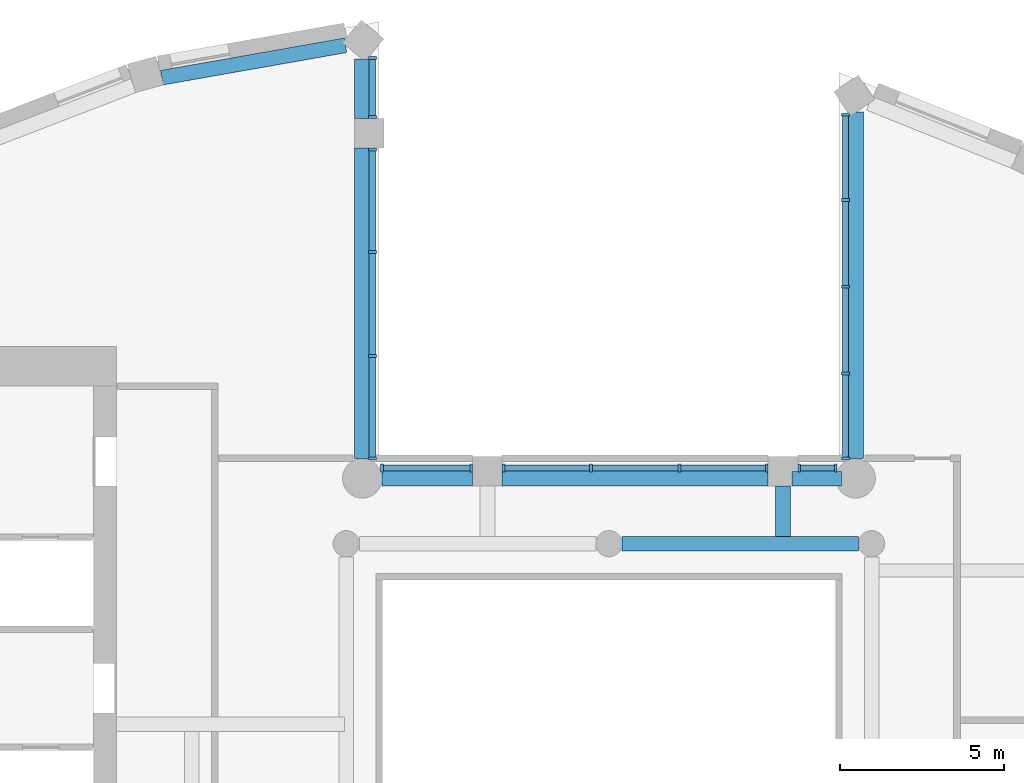
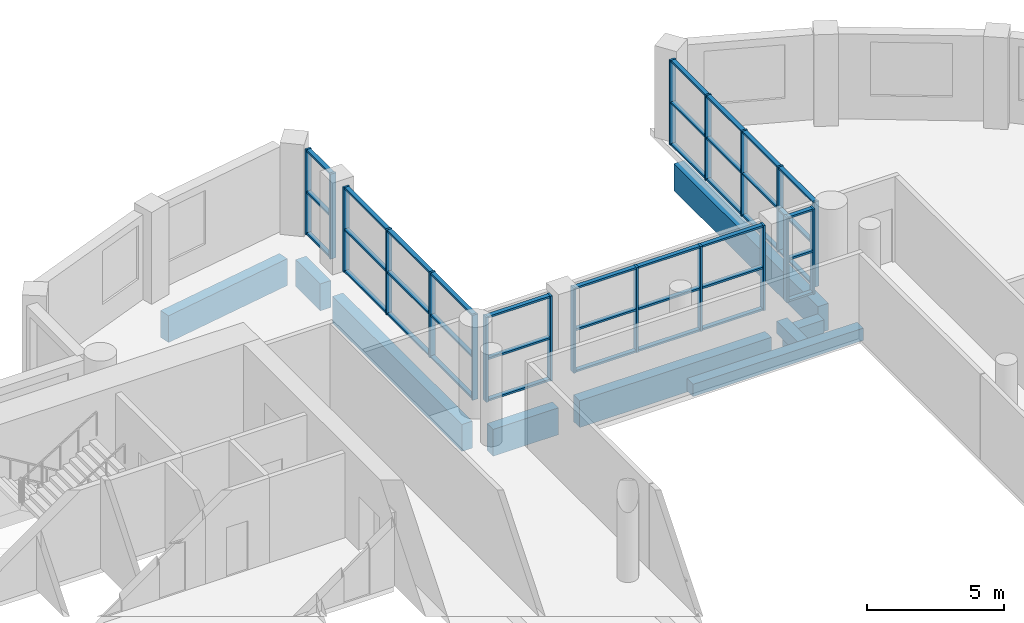
# One storey, part 2 of 15: 58 members, 9 beams, 6 elements without a shape of their own.
"""IFC4 building model written with IfcOpenShell, lengths in metres."""

from ifc_helpers import new_model, si_unit, direction, frame, origin, origin_2d, place, context, subcontext, project, spatial, rectangle, extrude, material, material_profile, profile_set, type_object, element, aggregate, save


model = new_model("IFC4")

# Units and contexts
model_context = context("Model", 3, precision=1e-05, world=origin(), true_north=direction((0.0, 1.0)))
body_context = subcontext(model_context, "Body", "Model", "MODEL_VIEW")
ifc_project = project(units=[si_unit("LENGTHUNIT", "METRE"), si_unit("AREAUNIT", "SQUARE_METRE"), si_unit("VOLUMEUNIT", "CUBIC_METRE"), si_unit("PLANEANGLEUNIT", "RADIAN"), si_unit("MASSUNIT", "GRAM", prefix="KILO")], contexts=[model_context])

# Site, building, storey
site_placement = place(None, origin())
site = spatial("IfcSite", under=ifc_project, at=site_placement, CompositionType="ELEMENT")
building_placement = place(site_placement, origin())
building = spatial("IfcBuilding", under=site, at=building_placement, Name="Cypress Arch Tower", CompositionType="ELEMENT")
storey_placement = place(building_placement, frame((0.0, 0.0, 321.300048828125)))
storey = spatial("IfcBuildingStorey", under=building, at=storey_placement, Name="L73", CompositionType="ELEMENT", Elevation=321.300048828125)

# Beams
ifc_material_1 = material(Name="Concrete C50/60", Category="concrete")
ifc_material_profile_1 = material_profile(ifc_material_1, rectangle(XDim=0.449951171875, YDim=0.550048828125, at=origin_2d()), Name="RC 450x550")
ifc_profile_set_1 = profile_set([ifc_material_profile_1], Name="Concrete C50/60")
beam_type_1 = type_object("IfcBeamType", Name="Floor beam RC 450x550 Concrete C50/60", PredefinedType="BEAM", material=ifc_profile_set_1)
beam_1_placement = place(storey_placement, frame((1.39990234375, 10.0, -0.574951171875), z_axis=(1.0, 0.0, 0.0), x_axis=(0.0, 1.0, 0.0)))
element("IfcBeam", 1, at=beam_1_placement, inside=storey, type_object=beam_type_1, Name="Floor beam L73 RB008", PredefinedType="BEAM", context=body_context, shape_type="SweptSolid", body=[
    extrude(rectangle(XDim=0.449951171875, YDim=0.550048828125, at=origin_2d()), origin(), (0.0, 0.0, 1.0), 7.2001953125),
])
beam_2_placement = place(storey_placement, frame((6.300048828125, 10.22509765625, -0.574951171875), z_axis=(0.0, 1.0, 0.0), x_axis=(-1.0, 0.0, 0.0)))
element("IfcBeam", 2, at=beam_2_placement, inside=storey, type_object=beam_type_1, Name="Floor beam L73 FB013", PredefinedType="BEAM", context=body_context, shape_type="SweptSolid", body=[
    extrude(rectangle(XDim=0.449951171875, YDim=0.550048828125, at=origin_2d()), origin(), (0.0, 0.0, 1.0), 1.52490234375),
])

# Curtain wall, members
ifc_material_2 = material(Name="Anodised aluminium, bronze finish, clear laminated double glazing", Category="aluminium")
curtain_wall_type = type_object("IfcCurtainWallType", Name="Curtain wall CW7 slot glazing", PredefinedType="NOTDEFINED", material=ifc_material_2)
curtain_wall_1_placement = place(storey_placement, origin())
curtain_wall_1 = element("IfcCurtainWall", 3, at=curtain_wall_1_placement, inside=storey, type_object=curtain_wall_type, Name="Curtain wall L73 slot C00.0", PredefinedType="NOTDEFINED")
ifc_material_3 = material(Name="Anodised aluminium, bronze finish", Category="aluminium")
ifc_material_profile_2 = material_profile(ifc_material_3, rectangle(XDim=0.239990234375, YDim=0.0849609375, at=origin_2d()), Name="Mullion 85x240")
ifc_profile_set_2 = profile_set([ifc_material_profile_2], Name="Anodised aluminium, bronze finish")
member_type_1 = type_object("IfcMemberType", Name="Mullion CW7 85x240", PredefinedType="MULLION", material=ifc_profile_set_2)
member_1_placement = place(storey_placement, frame((8.199951171875, 23.060302734375, 0.0), z_axis=(0.0, 0.0, 1.0), x_axis=(1.0, 0.0, 0.0)))
member_1 = element("IfcMember", 4, at=member_1_placement, type_object=member_type_1, Name="CW7 mullion 1", PredefinedType="MULLION", context=body_context, shape_type="SweptSolid", body=[
    extrude(rectangle(XDim=0.239990234375, YDim=0.0849609375, at=origin_2d()), origin(), (0.0, 0.0, 1.0), 3.800048828125),
])
member_2_placement = place(storey_placement, frame((8.199951171875, 20.464111328125, 0.0), z_axis=(0.0, 0.0, 1.0), x_axis=(1.0, 0.0, 0.0)))
member_2 = element("IfcMember", 5, at=member_2_placement, type_object=member_type_1, Name="CW7 mullion 2", PredefinedType="MULLION", context=body_context, shape_type="SweptSolid", body=[
    extrude(rectangle(XDim=0.239990234375, YDim=0.0849609375, at=origin_2d()), origin(), (0.0, 0.0, 1.0), 3.800048828125),
])
member_3_placement = place(storey_placement, frame((8.199951171875, 17.82568359375, 0.0), z_axis=(0.0, 0.0, 1.0), x_axis=(1.0, 0.0, 0.0)))
member_3 = element("IfcMember", 6, at=member_3_placement, type_object=member_type_1, Name="CW7 mullion 3", PredefinedType="MULLION", context=body_context, shape_type="SweptSolid", body=[
    extrude(rectangle(XDim=0.239990234375, YDim=0.0849609375, at=origin_2d()), origin(), (0.0, 0.0, 1.0), 3.800048828125),
])
member_4_placement = place(storey_placement, frame((8.199951171875, 15.18701171875, 0.0), z_axis=(0.0, 0.0, 1.0), x_axis=(1.0, 0.0, 0.0)))
member_4 = element("IfcMember", 7, at=member_4_placement, type_object=member_type_1, Name="CW7 mullion 4", PredefinedType="MULLION", context=body_context, shape_type="SweptSolid", body=[
    extrude(rectangle(XDim=0.239990234375, YDim=0.0849609375, at=origin_2d()), origin(), (0.0, 0.0, 1.0), 3.800048828125),
])
member_5_placement = place(storey_placement, frame((8.199951171875, 12.591064453125, 0.0), z_axis=(0.0, 0.0, 1.0), x_axis=(1.0, 0.0, 0.0)))
member_5 = element("IfcMember", 8, at=member_5_placement, type_object=member_type_1, Name="CW7 mullion 5", PredefinedType="MULLION", context=body_context, shape_type="SweptSolid", body=[
    extrude(rectangle(XDim=0.239990234375, YDim=0.0849609375, at=origin_2d()), origin(), (0.0, 0.0, 1.0), 3.800048828125),
])

curtain_wall_2_placement = place(storey_placement, origin())
curtain_wall_2 = element("IfcCurtainWall", 9, at=curtain_wall_2_placement, inside=storey, type_object=curtain_wall_type, Name="Curtain wall L73 slot C01.0", PredefinedType="NOTDEFINED")
member_6_placement = place(storey_placement, frame((7.908935546875, 12.300048828125, 0.0), z_axis=(0.0, 0.0, 1.0), x_axis=(0.0, -1.0, 0.0)))
member_6 = element("IfcMember", 10, at=member_6_placement, type_object=member_type_1, Name="CW7 mullion 1", PredefinedType="MULLION", context=body_context, shape_type="SweptSolid", body=[
    extrude(rectangle(XDim=0.239990234375, YDim=0.0849609375, at=origin_2d()), origin(), (0.0, 0.0, 1.0), 3.800048828125),
])
member_7_placement = place(storey_placement, frame((6.79248046875, 12.300048828125, 0.0), z_axis=(0.0, 0.0, 1.0), x_axis=(0.0, -1.0, 0.0)))
member_7 = element("IfcMember", 11, at=member_7_placement, type_object=member_type_1, Name="CW7 mullion 2", PredefinedType="MULLION", context=body_context, shape_type="SweptSolid", body=[
    extrude(rectangle(XDim=0.239990234375, YDim=0.0849609375, at=origin_2d()), origin(), (0.0, 0.0, 1.0), 3.800048828125),
])

curtain_wall_3_placement = place(storey_placement, origin())
curtain_wall_3 = element("IfcCurtainWall", 12, at=curtain_wall_3_placement, inside=storey, type_object=curtain_wall_type, Name="Curtain wall L73 slot C01.1", PredefinedType="NOTDEFINED")
member_8_placement = place(storey_placement, frame((5.8076171875, 12.300048828125, 0.0), z_axis=(0.0, 0.0, 1.0), x_axis=(0.0, -1.0, 0.0)))
member_8 = element("IfcMember", 13, at=member_8_placement, type_object=member_type_1, Name="CW7 mullion 1", PredefinedType="MULLION", context=body_context, shape_type="SweptSolid", body=[
    extrude(rectangle(XDim=0.239990234375, YDim=0.0849609375, at=origin_2d()), origin(), (0.0, 0.0, 1.0), 3.800048828125),
])
member_9_placement = place(storey_placement, frame((3.14990234375, 12.300048828125, 0.0), z_axis=(0.0, 0.0, 1.0), x_axis=(0.0, -1.0, 0.0)))
member_9 = element("IfcMember", 14, at=member_9_placement, type_object=member_type_1, Name="CW7 mullion 2", PredefinedType="MULLION", context=body_context, shape_type="SweptSolid", body=[
    extrude(rectangle(XDim=0.239990234375, YDim=0.0849609375, at=origin_2d()), origin(), (0.0, 0.0, 1.0), 3.800048828125),
])
member_10_placement = place(storey_placement, frame((0.449951171875, 12.300048828125, 0.0), z_axis=(0.0, 0.0, 1.0), x_axis=(0.0, -1.0, 0.0)))
member_10 = element("IfcMember", 15, at=member_10_placement, type_object=member_type_1, Name="CW7 mullion 3", PredefinedType="MULLION", context=body_context, shape_type="SweptSolid", body=[
    extrude(rectangle(XDim=0.239990234375, YDim=0.0849609375, at=origin_2d()), origin(), (0.0, 0.0, 1.0), 3.800048828125),
])
member_11_placement = place(storey_placement, frame((-2.20751953125, 12.300048828125, 0.0), z_axis=(0.0, 0.0, 1.0), x_axis=(0.0, -1.0, 0.0)))
member_11 = element("IfcMember", 16, at=member_11_placement, type_object=member_type_1, Name="CW7 mullion 4", PredefinedType="MULLION", context=body_context, shape_type="SweptSolid", body=[
    extrude(rectangle(XDim=0.239990234375, YDim=0.0849609375, at=origin_2d()), origin(), (0.0, 0.0, 1.0), 3.800048828125),
])

curtain_wall_4_placement = place(storey_placement, origin())
curtain_wall_4 = element("IfcCurtainWall", 17, at=curtain_wall_4_placement, inside=storey, type_object=curtain_wall_type, Name="Curtain wall L73 slot C01.2", PredefinedType="NOTDEFINED")
member_12_placement = place(storey_placement, frame((-3.1923828125, 12.300048828125, 0.0), z_axis=(0.0, 0.0, 1.0), x_axis=(0.0, -1.0, 0.0)))
member_12 = element("IfcMember", 18, at=member_12_placement, type_object=member_type_1, Name="CW7 mullion 1", PredefinedType="MULLION", context=body_context, shape_type="SweptSolid", body=[
    extrude(rectangle(XDim=0.239990234375, YDim=0.0849609375, at=origin_2d()), origin(), (0.0, 0.0, 1.0), 3.800048828125),
])
member_13_placement = place(storey_placement, frame((-5.908935546875, 12.300048828125, 0.0), z_axis=(0.0, 0.0, 1.0), x_axis=(0.0, -1.0, 0.0)))
member_13 = element("IfcMember", 19, at=member_13_placement, type_object=member_type_1, Name="CW7 mullion 2", PredefinedType="MULLION", context=body_context, shape_type="SweptSolid", body=[
    extrude(rectangle(XDim=0.239990234375, YDim=0.0849609375, at=origin_2d()), origin(), (0.0, 0.0, 1.0), 3.800048828125),
])

curtain_wall_5_placement = place(storey_placement, origin())
curtain_wall_5 = element("IfcCurtainWall", 20, at=curtain_wall_5_placement, inside=storey, type_object=curtain_wall_type, Name="Curtain wall L73 slot C02.0", PredefinedType="NOTDEFINED")
member_14_placement = place(storey_placement, frame((-6.199951171875, 12.591064453125, 0.0), z_axis=(0.0, 0.0, 1.0), x_axis=(-1.0, 0.0, 0.0)))
member_14 = element("IfcMember", 21, at=member_14_placement, type_object=member_type_1, Name="CW7 mullion 1", PredefinedType="MULLION", context=body_context, shape_type="SweptSolid", body=[
    extrude(rectangle(XDim=0.239990234375, YDim=0.0849609375, at=origin_2d()), origin(), (0.0, 0.0, 1.0), 3.800048828125),
])
member_15_placement = place(storey_placement, frame((-6.199951171875, 15.715576171875, 0.0), z_axis=(0.0, 0.0, 1.0), x_axis=(-1.0, 0.0, 0.0)))
member_15 = element("IfcMember", 22, at=member_15_placement, type_object=member_type_1, Name="CW7 mullion 2", PredefinedType="MULLION", context=body_context, shape_type="SweptSolid", body=[
    extrude(rectangle(XDim=0.239990234375, YDim=0.0849609375, at=origin_2d()), origin(), (0.0, 0.0, 1.0), 3.800048828125),
])
member_16_placement = place(storey_placement, frame((-6.199951171875, 18.8828125, 0.0), z_axis=(0.0, 0.0, 1.0), x_axis=(-1.0, 0.0, 0.0)))
member_16 = element("IfcMember", 23, at=member_16_placement, type_object=member_type_1, Name="CW7 mullion 3", PredefinedType="MULLION", context=body_context, shape_type="SweptSolid", body=[
    extrude(rectangle(XDim=0.239990234375, YDim=0.0849609375, at=origin_2d()), origin(), (0.0, 0.0, 1.0), 3.800048828125),
])
member_17_placement = place(storey_placement, frame((-6.199951171875, 22.007568359375, 0.0), z_axis=(0.0, 0.0, 1.0), x_axis=(-1.0, 0.0, 0.0)))
member_17 = element("IfcMember", 24, at=member_17_placement, type_object=member_type_1, Name="CW7 mullion 4", PredefinedType="MULLION", context=body_context, shape_type="SweptSolid", body=[
    extrude(rectangle(XDim=0.239990234375, YDim=0.0849609375, at=origin_2d()), origin(), (0.0, 0.0, 1.0), 3.800048828125),
])

curtain_wall_6_placement = place(storey_placement, origin())
curtain_wall_6 = element("IfcCurtainWall", 25, at=curtain_wall_6_placement, inside=storey, type_object=curtain_wall_type, Name="Curtain wall L73 slot C02.1", PredefinedType="NOTDEFINED")
member_18_placement = place(storey_placement, frame((-6.199951171875, 22.992431640625, 0.0), z_axis=(0.0, 0.0, 1.0), x_axis=(-1.0, 0.0, 0.0)))
member_18 = element("IfcMember", 26, at=member_18_placement, type_object=member_type_1, Name="CW7 mullion 1", PredefinedType="MULLION", context=body_context, shape_type="SweptSolid", body=[
    extrude(rectangle(XDim=0.239990234375, YDim=0.0849609375, at=origin_2d()), origin(), (0.0, 0.0, 1.0), 3.800048828125),
])
member_19_placement = place(storey_placement, frame((-6.199951171875, 24.789794921875, 0.0), z_axis=(0.0, 0.0, 1.0), x_axis=(-1.0, 0.0, 0.0)))
member_19 = element("IfcMember", 27, at=member_19_placement, type_object=member_type_1, Name="CW7 mullion 2", PredefinedType="MULLION", context=body_context, shape_type="SweptSolid", body=[
    extrude(rectangle(XDim=0.239990234375, YDim=0.0849609375, at=origin_2d()), origin(), (0.0, 0.0, 1.0), 3.800048828125),
])

# Beams
ifc_material_4 = material(Name="Concrete C50/60", Category="concrete")
ifc_material_profile_3 = material_profile(ifc_material_4, rectangle(XDim=0.449951171875, YDim=1.199951171875, at=origin_2d()), Name="RC 450x1200")
ifc_profile_set_3 = profile_set([ifc_material_profile_3], Name="Concrete C50/60")
beam_type_2 = type_object("IfcBeamType", Name="Spandrel beam RC 450x1200 Concrete C50/60", PredefinedType="SPANDREL", material=ifc_profile_set_3)
beam_3_placement = place(storey_placement, frame((8.52490234375, 23.138427734375, -1.550048828125), z_axis=(0.0, -1.0, 0.0), x_axis=(1.0, 0.0, 0.0)))
element("IfcBeam", 28, at=beam_3_placement, inside=storey, type_object=beam_type_2, Name="Spandrel beam L73 BC00-0", PredefinedType="SPANDREL", context=body_context, shape_type="SweptSolid", body=[
    extrude(rectangle(XDim=0.449951171875, YDim=1.199951171875, at=origin_2d()), origin(), (0.0, 0.0, 1.0), 10.55078125),
])
beam_4_placement = place(storey_placement, frame((8.081298828125, 11.97509765625, -1.550048828125), z_axis=(-1.0, 0.0, 0.0), x_axis=(0.0, -1.0, 0.0)))
element("IfcBeam", 29, at=beam_4_placement, inside=storey, type_object=beam_type_2, Name="Spandrel beam L73 BC01-0", PredefinedType="SPANDREL", context=body_context, shape_type="SweptSolid", body=[
    extrude(rectangle(XDim=0.449951171875, YDim=1.199951171875, at=origin_2d()), origin(), (0.0, 0.0, 1.0), 1.5),
])
beam_5_placement = place(storey_placement, frame((5.85009765625, 11.97509765625, -1.550048828125), z_axis=(-1.0, 0.0, 0.0), x_axis=(0.0, -1.0, 0.0)))
element("IfcBeam", 30, at=beam_5_placement, inside=storey, type_object=beam_type_2, Name="Spandrel beam L73 BC01-1", PredefinedType="SPANDREL", context=body_context, shape_type="SweptSolid", body=[
    extrude(rectangle(XDim=0.449951171875, YDim=1.199951171875, at=origin_2d()), origin(), (0.0, 0.0, 1.0), 8.10009765625),
])
beam_6_placement = place(storey_placement, frame((-3.14990234375, 11.97509765625, -1.550048828125), z_axis=(-1.0, 0.0, 0.0), x_axis=(0.0, -1.0, 0.0)))
element("IfcBeam", 31, at=beam_6_placement, inside=storey, type_object=beam_type_2, Name="Spandrel beam L73 BC01-2", PredefinedType="SPANDREL", context=body_context, shape_type="SweptSolid", body=[
    extrude(rectangle(XDim=0.449951171875, YDim=1.199951171875, at=origin_2d()), origin(), (0.0, 0.0, 1.0), 2.762451171875),
])
beam_7_placement = place(storey_placement, frame((-6.52490234375, 12.587646484375, -1.550048828125), z_axis=(0.0, 1.0, 0.0), x_axis=(-1.0, 0.0, 0.0)))
element("IfcBeam", 32, at=beam_7_placement, inside=storey, type_object=beam_type_2, Name="Spandrel beam L73 BC02-0", PredefinedType="SPANDREL", context=body_context, shape_type="SweptSolid", body=[
    extrude(rectangle(XDim=0.449951171875, YDim=1.199951171875, at=origin_2d()), origin(), (0.0, 0.0, 1.0), 9.46240234375),
])
beam_8_placement = place(storey_placement, frame((-6.52490234375, 22.949951171875, -1.550048828125), z_axis=(0.0, 1.0, 0.0), x_axis=(-1.0, 0.0, 0.0)))
element("IfcBeam", 33, at=beam_8_placement, inside=storey, type_object=beam_type_2, Name="Spandrel beam L73 BC02-1", PredefinedType="SPANDREL", context=body_context, shape_type="SweptSolid", body=[
    extrude(rectangle(XDim=0.449951171875, YDim=1.199951171875, at=origin_2d()), origin(), (0.0, 0.0, 1.0), 1.810302734375),
])
beam_9_placement = place(storey_placement, frame((-7.021484375, 25.1767578125, -1.550048828125), z_axis=(-0.984798704294, -0.173699487682, 0.0), x_axis=(0.173699487682, -0.984798704294, 0.0)))
element("IfcBeam", 34, at=beam_9_placement, inside=storey, type_object=beam_type_2, Name="Spandrel beam L73 BC03-0", PredefinedType="SPANDREL", context=body_context, shape_type="SweptSolid", body=[
    extrude(rectangle(XDim=0.449951171875, YDim=1.199951171875, at=origin_2d()), origin(), (0.0, 0.0, 1.0), 5.678466796875),
])

# Member
ifc_material_5 = material(Name="Anodised aluminium, bronze finish", Category="aluminium")
ifc_material_profile_4 = material_profile(ifc_material_5, rectangle(XDim=0.179931640625, YDim=0.0849609375, at=origin_2d()), Name="Transom 85x180")
ifc_profile_set_4 = profile_set([ifc_material_profile_4], Name="Anodised aluminium, bronze finish")
member_type_2 = type_object("IfcMemberType", Name="Transom CW7 85x180", PredefinedType="USERDEFINED", material=ifc_profile_set_4)
member_20_placement = place(storey_placement, frame((8.199951171875, 23.017578125, 0.04248046875), z_axis=(0.0, -1.0, 0.0), x_axis=(1.0, 0.0, 0.0)))
member_20 = element("IfcMember", 35, at=member_20_placement, type_object=member_type_2, Name="CW7 transom 1.1", ObjectType="TRANSOM", PredefinedType="USERDEFINED", context=body_context, shape_type="SweptSolid", body=[
    extrude(rectangle(XDim=0.179931640625, YDim=0.0849609375, at=origin_2d()), origin(), (0.0, 0.0, 1.0), 2.510986328125),
])

member_21_placement = place(storey_placement, frame((8.199951171875, 23.017578125, 1.89990234375), z_axis=(0.0, -1.0, 0.0), x_axis=(1.0, 0.0, 0.0)))
member_21 = element("IfcMember", 36, at=member_21_placement, type_object=member_type_2, Name="CW7 transom 1.2", ObjectType="TRANSOM", PredefinedType="USERDEFINED", context=body_context, shape_type="SweptSolid", body=[
    extrude(rectangle(XDim=0.179931640625, YDim=0.0849609375, at=origin_2d()), origin(), (0.0, 0.0, 1.0), 2.510986328125),
])

member_22_placement = place(storey_placement, frame((8.199951171875, 23.017578125, 3.757568359375), z_axis=(0.0, -1.0, 0.0), x_axis=(1.0, 0.0, 0.0)))
member_22 = element("IfcMember", 37, at=member_22_placement, type_object=member_type_2, Name="CW7 transom 1.3", ObjectType="TRANSOM", PredefinedType="USERDEFINED", context=body_context, shape_type="SweptSolid", body=[
    extrude(rectangle(XDim=0.179931640625, YDim=0.0849609375, at=origin_2d()), origin(), (0.0, 0.0, 1.0), 2.510986328125),
])

member_23_placement = place(storey_placement, frame((8.199951171875, 20.421630859375, 0.04248046875), z_axis=(0.0, -1.0, 0.0), x_axis=(1.0, 0.0, 0.0)))
member_23 = element("IfcMember", 38, at=member_23_placement, type_object=member_type_2, Name="CW7 transom 2.1", ObjectType="TRANSOM", PredefinedType="USERDEFINED", context=body_context, shape_type="SweptSolid", body=[
    extrude(rectangle(XDim=0.179931640625, YDim=0.0849609375, at=origin_2d()), origin(), (0.0, 0.0, 1.0), 2.553466796875),
])

member_24_placement = place(storey_placement, frame((8.199951171875, 20.421630859375, 1.89990234375), z_axis=(0.0, -1.0, 0.0), x_axis=(1.0, 0.0, 0.0)))
member_24 = element("IfcMember", 39, at=member_24_placement, type_object=member_type_2, Name="CW7 transom 2.2", ObjectType="TRANSOM", PredefinedType="USERDEFINED", context=body_context, shape_type="SweptSolid", body=[
    extrude(rectangle(XDim=0.179931640625, YDim=0.0849609375, at=origin_2d()), origin(), (0.0, 0.0, 1.0), 2.553466796875),
])

member_25_placement = place(storey_placement, frame((8.199951171875, 20.421630859375, 3.757568359375), z_axis=(0.0, -1.0, 0.0), x_axis=(1.0, 0.0, 0.0)))
member_25 = element("IfcMember", 40, at=member_25_placement, type_object=member_type_2, Name="CW7 transom 2.3", ObjectType="TRANSOM", PredefinedType="USERDEFINED", context=body_context, shape_type="SweptSolid", body=[
    extrude(rectangle(XDim=0.179931640625, YDim=0.0849609375, at=origin_2d()), origin(), (0.0, 0.0, 1.0), 2.553466796875),
])

member_26_placement = place(storey_placement, frame((8.199951171875, 17.782958984375, 0.04248046875), z_axis=(0.0, -1.0, 0.0), x_axis=(1.0, 0.0, 0.0)))
member_26 = element("IfcMember", 41, at=member_26_placement, type_object=member_type_2, Name="CW7 transom 3.1", ObjectType="TRANSOM", PredefinedType="USERDEFINED", context=body_context, shape_type="SweptSolid", body=[
    extrude(rectangle(XDim=0.179931640625, YDim=0.0849609375, at=origin_2d()), origin(), (0.0, 0.0, 1.0), 2.553466796875),
])

member_27_placement = place(storey_placement, frame((8.199951171875, 17.782958984375, 1.89990234375), z_axis=(0.0, -1.0, 0.0), x_axis=(1.0, 0.0, 0.0)))
member_27 = element("IfcMember", 42, at=member_27_placement, type_object=member_type_2, Name="CW7 transom 3.2", ObjectType="TRANSOM", PredefinedType="USERDEFINED", context=body_context, shape_type="SweptSolid", body=[
    extrude(rectangle(XDim=0.179931640625, YDim=0.0849609375, at=origin_2d()), origin(), (0.0, 0.0, 1.0), 2.553466796875),
])

member_28_placement = place(storey_placement, frame((8.199951171875, 17.782958984375, 3.757568359375), z_axis=(0.0, -1.0, 0.0), x_axis=(1.0, 0.0, 0.0)))
member_28 = element("IfcMember", 43, at=member_28_placement, type_object=member_type_2, Name="CW7 transom 3.3", ObjectType="TRANSOM", PredefinedType="USERDEFINED", context=body_context, shape_type="SweptSolid", body=[
    extrude(rectangle(XDim=0.179931640625, YDim=0.0849609375, at=origin_2d()), origin(), (0.0, 0.0, 1.0), 2.553466796875),
])

member_29_placement = place(storey_placement, frame((8.199951171875, 15.14453125, 0.04248046875), z_axis=(0.0, -1.0, 0.0), x_axis=(1.0, 0.0, 0.0)))
member_29 = element("IfcMember", 44, at=member_29_placement, type_object=member_type_2, Name="CW7 transom 4.1", ObjectType="TRANSOM", PredefinedType="USERDEFINED", context=body_context, shape_type="SweptSolid", body=[
    extrude(rectangle(XDim=0.179931640625, YDim=0.0849609375, at=origin_2d()), origin(), (0.0, 0.0, 1.0), 2.510986328125),
])

member_30_placement = place(storey_placement, frame((8.199951171875, 15.14453125, 1.89990234375), z_axis=(0.0, -1.0, 0.0), x_axis=(1.0, 0.0, 0.0)))
member_30 = element("IfcMember", 45, at=member_30_placement, type_object=member_type_2, Name="CW7 transom 4.2", ObjectType="TRANSOM", PredefinedType="USERDEFINED", context=body_context, shape_type="SweptSolid", body=[
    extrude(rectangle(XDim=0.179931640625, YDim=0.0849609375, at=origin_2d()), origin(), (0.0, 0.0, 1.0), 2.510986328125),
])

member_31_placement = place(storey_placement, frame((8.199951171875, 15.14453125, 3.757568359375), z_axis=(0.0, -1.0, 0.0), x_axis=(1.0, 0.0, 0.0)))
member_31 = element("IfcMember", 46, at=member_31_placement, type_object=member_type_2, Name="CW7 transom 4.3", ObjectType="TRANSOM", PredefinedType="USERDEFINED", context=body_context, shape_type="SweptSolid", body=[
    extrude(rectangle(XDim=0.179931640625, YDim=0.0849609375, at=origin_2d()), origin(), (0.0, 0.0, 1.0), 2.510986328125),
])

aggregate(curtain_wall_1, [member_1, member_2, member_3, member_4, member_5, member_20, member_21, member_22, member_23, member_24, member_25, member_26, member_27, member_28, member_29, member_30, member_31])

member_32_placement = place(storey_placement, frame((7.866455078125, 12.300048828125, 0.04248046875), z_axis=(-1.0, 0.0, 0.0), x_axis=(0.0, -1.0, 0.0)))
member_32 = element("IfcMember", 47, at=member_32_placement, type_object=member_type_2, Name="CW7 transom 1.1", ObjectType="TRANSOM", PredefinedType="USERDEFINED", context=body_context, shape_type="SweptSolid", body=[
    extrude(rectangle(XDim=0.179931640625, YDim=0.0849609375, at=origin_2d()), origin(), (0.0, 0.0, 1.0), 1.031494140625),
])

member_33_placement = place(storey_placement, frame((7.866455078125, 12.300048828125, 1.89990234375), z_axis=(-1.0, 0.0, 0.0), x_axis=(0.0, -1.0, 0.0)))
member_33 = element("IfcMember", 48, at=member_33_placement, type_object=member_type_2, Name="CW7 transom 1.2", ObjectType="TRANSOM", PredefinedType="USERDEFINED", context=body_context, shape_type="SweptSolid", body=[
    extrude(rectangle(XDim=0.179931640625, YDim=0.0849609375, at=origin_2d()), origin(), (0.0, 0.0, 1.0), 1.031494140625),
])

member_34_placement = place(storey_placement, frame((7.866455078125, 12.300048828125, 3.757568359375), z_axis=(-1.0, 0.0, 0.0), x_axis=(0.0, -1.0, 0.0)))
member_34 = element("IfcMember", 49, at=member_34_placement, type_object=member_type_2, Name="CW7 transom 1.3", ObjectType="TRANSOM", PredefinedType="USERDEFINED", context=body_context, shape_type="SweptSolid", body=[
    extrude(rectangle(XDim=0.179931640625, YDim=0.0849609375, at=origin_2d()), origin(), (0.0, 0.0, 1.0), 1.031494140625),
])

aggregate(curtain_wall_2, [member_6, member_7, member_32, member_33, member_34])

member_35_placement = place(storey_placement, frame((5.764892578125, 12.300048828125, 0.04248046875), z_axis=(-1.0, 0.0, 0.0), x_axis=(0.0, -1.0, 0.0)))
member_35 = element("IfcMember", 50, at=member_35_placement, type_object=member_type_2, Name="CW7 transom 1.1", ObjectType="TRANSOM", PredefinedType="USERDEFINED", context=body_context, shape_type="SweptSolid", body=[
    extrude(rectangle(XDim=0.179931640625, YDim=0.0849609375, at=origin_2d()), origin(), (0.0, 0.0, 1.0), 2.572509765625),
])

member_36_placement = place(storey_placement, frame((5.764892578125, 12.300048828125, 1.89990234375), z_axis=(-1.0, 0.0, 0.0), x_axis=(0.0, -1.0, 0.0)))
member_36 = element("IfcMember", 51, at=member_36_placement, type_object=member_type_2, Name="CW7 transom 1.2", ObjectType="TRANSOM", PredefinedType="USERDEFINED", context=body_context, shape_type="SweptSolid", body=[
    extrude(rectangle(XDim=0.179931640625, YDim=0.0849609375, at=origin_2d()), origin(), (0.0, 0.0, 1.0), 2.572509765625),
])

member_37_placement = place(storey_placement, frame((5.764892578125, 12.300048828125, 3.757568359375), z_axis=(-1.0, 0.0, 0.0), x_axis=(0.0, -1.0, 0.0)))
member_37 = element("IfcMember", 52, at=member_37_placement, type_object=member_type_2, Name="CW7 transom 1.3", ObjectType="TRANSOM", PredefinedType="USERDEFINED", context=body_context, shape_type="SweptSolid", body=[
    extrude(rectangle(XDim=0.179931640625, YDim=0.0849609375, at=origin_2d()), origin(), (0.0, 0.0, 1.0), 2.572509765625),
])

member_38_placement = place(storey_placement, frame((3.107421875, 12.300048828125, 0.04248046875), z_axis=(-1.0, 0.0, 0.0), x_axis=(0.0, -1.0, 0.0)))
member_38 = element("IfcMember", 53, at=member_38_placement, type_object=member_type_2, Name="CW7 transom 2.1", ObjectType="TRANSOM", PredefinedType="USERDEFINED", context=body_context, shape_type="SweptSolid", body=[
    extrude(rectangle(XDim=0.179931640625, YDim=0.0849609375, at=origin_2d()), origin(), (0.0, 0.0, 1.0), 2.614990234375),
])

member_39_placement = place(storey_placement, frame((3.107421875, 12.300048828125, 1.89990234375), z_axis=(-1.0, 0.0, 0.0), x_axis=(0.0, -1.0, 0.0)))
member_39 = element("IfcMember", 54, at=member_39_placement, type_object=member_type_2, Name="CW7 transom 2.2", ObjectType="TRANSOM", PredefinedType="USERDEFINED", context=body_context, shape_type="SweptSolid", body=[
    extrude(rectangle(XDim=0.179931640625, YDim=0.0849609375, at=origin_2d()), origin(), (0.0, 0.0, 1.0), 2.614990234375),
])

member_40_placement = place(storey_placement, frame((3.107421875, 12.300048828125, 3.757568359375), z_axis=(-1.0, 0.0, 0.0), x_axis=(0.0, -1.0, 0.0)))
member_40 = element("IfcMember", 55, at=member_40_placement, type_object=member_type_2, Name="CW7 transom 2.3", ObjectType="TRANSOM", PredefinedType="USERDEFINED", context=body_context, shape_type="SweptSolid", body=[
    extrude(rectangle(XDim=0.179931640625, YDim=0.0849609375, at=origin_2d()), origin(), (0.0, 0.0, 1.0), 2.614990234375),
])

member_41_placement = place(storey_placement, frame((0.407470703125, 12.300048828125, 0.04248046875), z_axis=(-1.0, 0.0, 0.0), x_axis=(0.0, -1.0, 0.0)))
member_41 = element("IfcMember", 56, at=member_41_placement, type_object=member_type_2, Name="CW7 transom 3.1", ObjectType="TRANSOM", PredefinedType="USERDEFINED", context=body_context, shape_type="SweptSolid", body=[
    extrude(rectangle(XDim=0.179931640625, YDim=0.0849609375, at=origin_2d()), origin(), (0.0, 0.0, 1.0), 2.572509765625),
])

member_42_placement = place(storey_placement, frame((0.407470703125, 12.300048828125, 1.89990234375), z_axis=(-1.0, 0.0, 0.0), x_axis=(0.0, -1.0, 0.0)))
member_42 = element("IfcMember", 57, at=member_42_placement, type_object=member_type_2, Name="CW7 transom 3.2", ObjectType="TRANSOM", PredefinedType="USERDEFINED", context=body_context, shape_type="SweptSolid", body=[
    extrude(rectangle(XDim=0.179931640625, YDim=0.0849609375, at=origin_2d()), origin(), (0.0, 0.0, 1.0), 2.572509765625),
])

member_43_placement = place(storey_placement, frame((0.407470703125, 12.300048828125, 3.757568359375), z_axis=(-1.0, 0.0, 0.0), x_axis=(0.0, -1.0, 0.0)))
member_43 = element("IfcMember", 58, at=member_43_placement, type_object=member_type_2, Name="CW7 transom 3.3", ObjectType="TRANSOM", PredefinedType="USERDEFINED", context=body_context, shape_type="SweptSolid", body=[
    extrude(rectangle(XDim=0.179931640625, YDim=0.0849609375, at=origin_2d()), origin(), (0.0, 0.0, 1.0), 2.572509765625),
])

aggregate(curtain_wall_3, [member_8, member_9, member_10, member_11, member_35, member_36, member_37, member_38, member_39, member_40, member_41, member_42, member_43])

member_44_placement = place(storey_placement, frame((-3.235107421875, 12.300048828125, 0.04248046875), z_axis=(-1.0, 0.0, 0.0), x_axis=(0.0, -1.0, 0.0)))
member_44 = element("IfcMember", 59, at=member_44_placement, type_object=member_type_2, Name="CW7 transom 1.1", ObjectType="TRANSOM", PredefinedType="USERDEFINED", context=body_context, shape_type="SweptSolid", body=[
    extrude(rectangle(XDim=0.179931640625, YDim=0.0849609375, at=origin_2d()), origin(), (0.0, 0.0, 1.0), 2.63134765625),
])

member_45_placement = place(storey_placement, frame((-3.235107421875, 12.300048828125, 1.89990234375), z_axis=(-1.0, 0.0, 0.0), x_axis=(0.0, -1.0, 0.0)))
member_45 = element("IfcMember", 60, at=member_45_placement, type_object=member_type_2, Name="CW7 transom 1.2", ObjectType="TRANSOM", PredefinedType="USERDEFINED", context=body_context, shape_type="SweptSolid", body=[
    extrude(rectangle(XDim=0.179931640625, YDim=0.0849609375, at=origin_2d()), origin(), (0.0, 0.0, 1.0), 2.63134765625),
])

member_46_placement = place(storey_placement, frame((-3.235107421875, 12.300048828125, 3.757568359375), z_axis=(-1.0, 0.0, 0.0), x_axis=(0.0, -1.0, 0.0)))
member_46 = element("IfcMember", 61, at=member_46_placement, type_object=member_type_2, Name="CW7 transom 1.3", ObjectType="TRANSOM", PredefinedType="USERDEFINED", context=body_context, shape_type="SweptSolid", body=[
    extrude(rectangle(XDim=0.179931640625, YDim=0.0849609375, at=origin_2d()), origin(), (0.0, 0.0, 1.0), 2.63134765625),
])

aggregate(curtain_wall_4, [member_12, member_13, member_44, member_45, member_46])

member_47_placement = place(storey_placement, frame((-6.199951171875, 12.633544921875, 0.04248046875), z_axis=(0.0, 1.0, 0.0), x_axis=(-1.0, 0.0, 0.0)))
member_47 = element("IfcMember", 62, at=member_47_placement, type_object=member_type_2, Name="CW7 transom 1.1", ObjectType="TRANSOM", PredefinedType="USERDEFINED", context=body_context, shape_type="SweptSolid", body=[
    extrude(rectangle(XDim=0.179931640625, YDim=0.0849609375, at=origin_2d()), origin(), (0.0, 0.0, 1.0), 3.03955078125),
])

member_48_placement = place(storey_placement, frame((-6.199951171875, 12.633544921875, 1.89990234375), z_axis=(0.0, 1.0, 0.0), x_axis=(-1.0, 0.0, 0.0)))
member_48 = element("IfcMember", 63, at=member_48_placement, type_object=member_type_2, Name="CW7 transom 1.2", ObjectType="TRANSOM", PredefinedType="USERDEFINED", context=body_context, shape_type="SweptSolid", body=[
    extrude(rectangle(XDim=0.179931640625, YDim=0.0849609375, at=origin_2d()), origin(), (0.0, 0.0, 1.0), 3.03955078125),
])

member_49_placement = place(storey_placement, frame((-6.199951171875, 12.633544921875, 3.757568359375), z_axis=(0.0, 1.0, 0.0), x_axis=(-1.0, 0.0, 0.0)))
member_49 = element("IfcMember", 64, at=member_49_placement, type_object=member_type_2, Name="CW7 transom 1.3", ObjectType="TRANSOM", PredefinedType="USERDEFINED", context=body_context, shape_type="SweptSolid", body=[
    extrude(rectangle(XDim=0.179931640625, YDim=0.0849609375, at=origin_2d()), origin(), (0.0, 0.0, 1.0), 3.03955078125),
])

member_50_placement = place(storey_placement, frame((-6.199951171875, 15.758056640625, 0.04248046875), z_axis=(0.0, 1.0, 0.0), x_axis=(-1.0, 0.0, 0.0)))
member_50 = element("IfcMember", 65, at=member_50_placement, type_object=member_type_2, Name="CW7 transom 2.1", ObjectType="TRANSOM", PredefinedType="USERDEFINED", context=body_context, shape_type="SweptSolid", body=[
    extrude(rectangle(XDim=0.179931640625, YDim=0.0849609375, at=origin_2d()), origin(), (0.0, 0.0, 1.0), 3.082275390625),
])

member_51_placement = place(storey_placement, frame((-6.199951171875, 15.758056640625, 1.89990234375), z_axis=(0.0, 1.0, 0.0), x_axis=(-1.0, 0.0, 0.0)))
member_51 = element("IfcMember", 66, at=member_51_placement, type_object=member_type_2, Name="CW7 transom 2.2", ObjectType="TRANSOM", PredefinedType="USERDEFINED", context=body_context, shape_type="SweptSolid", body=[
    extrude(rectangle(XDim=0.179931640625, YDim=0.0849609375, at=origin_2d()), origin(), (0.0, 0.0, 1.0), 3.082275390625),
])

member_52_placement = place(storey_placement, frame((-6.199951171875, 15.758056640625, 3.757568359375), z_axis=(0.0, 1.0, 0.0), x_axis=(-1.0, 0.0, 0.0)))
member_52 = element("IfcMember", 67, at=member_52_placement, type_object=member_type_2, Name="CW7 transom 2.3", ObjectType="TRANSOM", PredefinedType="USERDEFINED", context=body_context, shape_type="SweptSolid", body=[
    extrude(rectangle(XDim=0.179931640625, YDim=0.0849609375, at=origin_2d()), origin(), (0.0, 0.0, 1.0), 3.082275390625),
])

member_53_placement = place(storey_placement, frame((-6.199951171875, 18.92529296875, 0.04248046875), z_axis=(0.0, 1.0, 0.0), x_axis=(-1.0, 0.0, 0.0)))
member_53 = element("IfcMember", 68, at=member_53_placement, type_object=member_type_2, Name="CW7 transom 3.1", ObjectType="TRANSOM", PredefinedType="USERDEFINED", context=body_context, shape_type="SweptSolid", body=[
    extrude(rectangle(XDim=0.179931640625, YDim=0.0849609375, at=origin_2d()), origin(), (0.0, 0.0, 1.0), 3.039794921875),
])

member_54_placement = place(storey_placement, frame((-6.199951171875, 18.92529296875, 1.89990234375), z_axis=(0.0, 1.0, 0.0), x_axis=(-1.0, 0.0, 0.0)))
member_54 = element("IfcMember", 69, at=member_54_placement, type_object=member_type_2, Name="CW7 transom 3.2", ObjectType="TRANSOM", PredefinedType="USERDEFINED", context=body_context, shape_type="SweptSolid", body=[
    extrude(rectangle(XDim=0.179931640625, YDim=0.0849609375, at=origin_2d()), origin(), (0.0, 0.0, 1.0), 3.039794921875),
])

member_55_placement = place(storey_placement, frame((-6.199951171875, 18.92529296875, 3.757568359375), z_axis=(0.0, 1.0, 0.0), x_axis=(-1.0, 0.0, 0.0)))
member_55 = element("IfcMember", 70, at=member_55_placement, type_object=member_type_2, Name="CW7 transom 3.3", ObjectType="TRANSOM", PredefinedType="USERDEFINED", context=body_context, shape_type="SweptSolid", body=[
    extrude(rectangle(XDim=0.179931640625, YDim=0.0849609375, at=origin_2d()), origin(), (0.0, 0.0, 1.0), 3.039794921875),
])

aggregate(curtain_wall_5, [member_14, member_15, member_16, member_17, member_47, member_48, member_49, member_50, member_51, member_52, member_53, member_54, member_55])

member_56_placement = place(storey_placement, frame((-6.199951171875, 23.034912109375, 0.04248046875), z_axis=(0.0, 1.0, 0.0), x_axis=(-1.0, 0.0, 0.0)))
member_56 = element("IfcMember", 71, at=member_56_placement, type_object=member_type_2, Name="CW7 transom 1.1", ObjectType="TRANSOM", PredefinedType="USERDEFINED", context=body_context, shape_type="SweptSolid", body=[
    extrude(rectangle(XDim=0.179931640625, YDim=0.0849609375, at=origin_2d()), origin(), (0.0, 0.0, 1.0), 1.71240234375),
])

member_57_placement = place(storey_placement, frame((-6.199951171875, 23.034912109375, 1.89990234375), z_axis=(0.0, 1.0, 0.0), x_axis=(-1.0, 0.0, 0.0)))
member_57 = element("IfcMember", 72, at=member_57_placement, type_object=member_type_2, Name="CW7 transom 1.2", ObjectType="TRANSOM", PredefinedType="USERDEFINED", context=body_context, shape_type="SweptSolid", body=[
    extrude(rectangle(XDim=0.179931640625, YDim=0.0849609375, at=origin_2d()), origin(), (0.0, 0.0, 1.0), 1.71240234375),
])

member_58_placement = place(storey_placement, frame((-6.199951171875, 23.034912109375, 3.757568359375), z_axis=(0.0, 1.0, 0.0), x_axis=(-1.0, 0.0, 0.0)))
member_58 = element("IfcMember", 73, at=member_58_placement, type_object=member_type_2, Name="CW7 transom 1.3", ObjectType="TRANSOM", PredefinedType="USERDEFINED", context=body_context, shape_type="SweptSolid", body=[
    extrude(rectangle(XDim=0.179931640625, YDim=0.0849609375, at=origin_2d()), origin(), (0.0, 0.0, 1.0), 1.71240234375),
])

aggregate(curtain_wall_6, [member_18, member_19, member_56, member_57, member_58])

save(model, "model.ifc")
